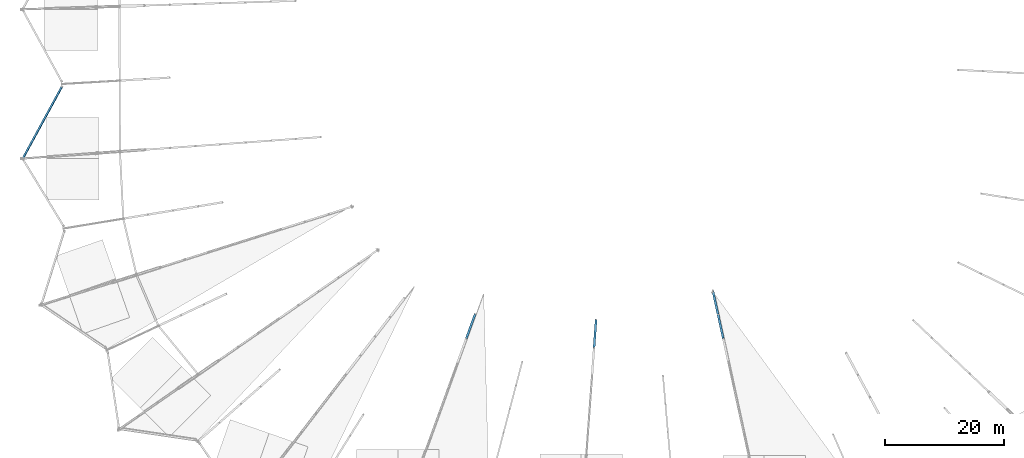
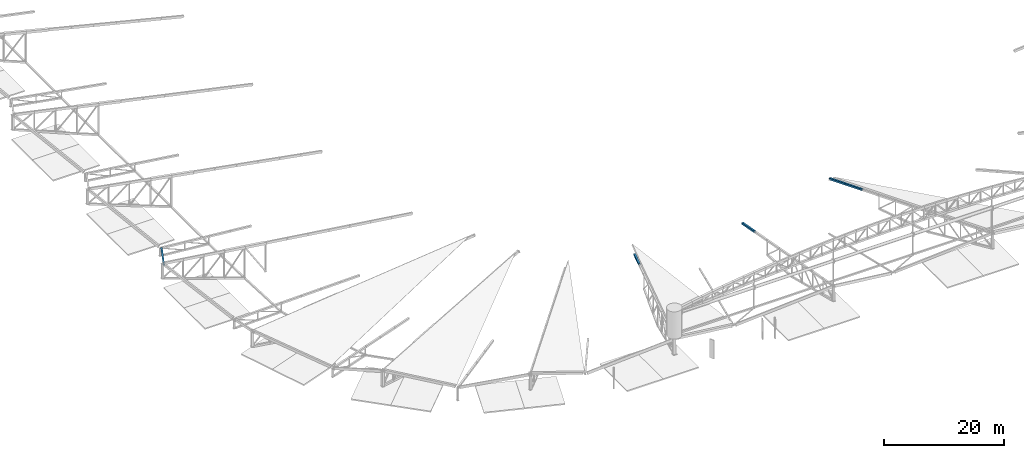
# One storey, part 32 of 188: 4 members, 1 beam.
"""IFC4 building model written with IfcOpenShell, lengths in metres."""

import ifcopenshell
import ifcopenshell.guid

model = None  # the IFC model being written
_history = None  # IfcOwnerHistory: only IFC2X3 demands one
_inside = {}  # id of a spatial element -> (the spatial element, [elements in it])
_under = {}  # id of a project, library or spatial element -> (it, [spatial elements below it])
_declared = {}  # id of a project -> (the project, [libraries it declares])
_typed = {}  # id of a type object -> (the type object, [elements of that type])
_made_of = {}  # id of a material, layer set ... -> (it, [elements and type objects made of it])


def new_model(schema):
    """Start an empty IFC model of exactly this schema.

    Asked for "IFC4X3", IfcOpenShell would pick the latest addendum, in which some entities
    have other attributes; the version numbers below select the first issue.
    IFC2X3 requires an IfcOwnerHistory on every rooted entity: one is made here for all.
    """
    global model, _history
    if schema == "IFC4X3":
        model = ifcopenshell.file(schema_version=(4, 3, 0, 0))
    else:
        model = ifcopenshell.file(schema=schema)
    _inside.clear()
    _under.clear()
    _declared.clear()
    _typed.clear()
    _made_of.clear()
    _history = None
    if model.schema == "IFC2X3":
        org = make("IfcOrganization", Name="unknown")
        user = make(
            "IfcPersonAndOrganization",
            ThePerson=make("IfcPerson", FamilyName="unknown"),
            TheOrganization=org,
        )
        app = make(
            "IfcApplication",
            ApplicationDeveloper=org,
            Version="unknown",
            ApplicationFullName="unknown",
            ApplicationIdentifier="unknown",
        )
        _history = make(
            "IfcOwnerHistory",
            OwningUser=user,
            OwningApplication=app,
            ChangeAction="ADDED",
            CreationDate=0,
        )
    return model


def make(cls, **values):
    """One entity of the class cls with the attributes given. An attribute that is None is left unset."""
    return model.create_entity(
        cls, **{name: value for name, value in values.items() if value is not None}
    )


def rooted(cls, **values):
    """An entity with a GlobalId (a new one), such as an element, a storey or a relation."""
    return make(cls, GlobalId=ifcopenshell.guid.new(), OwnerHistory=_history, **values)


def si_unit(unit_type, name, prefix=None):
    """IfcSIUnit, for example si_unit("LENGTHUNIT", "METRE", prefix="MILLI")."""
    return make("IfcSIUnit", UnitType=unit_type, Prefix=prefix, Name=name)


def assignment(units):
    """IfcUnitAssignment: the units of a project."""
    return None if units is None else make("IfcUnitAssignment", Units=units)


def point(xyz):
    """IfcCartesianPoint."""
    return None if xyz is None else make("IfcCartesianPoint", Coordinates=xyz)


def direction(xyz):
    """IfcDirection."""
    return None if xyz is None else make("IfcDirection", DirectionRatios=xyz)


def frame(location, z_axis=None, x_axis=None):
    """IfcAxis2Placement3D, a coordinate frame: its origin and axes. An axis left out is left unset."""
    return make(
        "IfcAxis2Placement3D",
        Location=point(location),
        Axis=direction(z_axis),
        RefDirection=direction(x_axis),
    )


def frame_2d(location, x_axis=None):
    """IfcAxis2Placement2D, a coordinate frame in the plane: its origin and x axis."""
    return make(
        "IfcAxis2Placement2D", Location=point(location), RefDirection=direction(x_axis)
    )


def origin():
    """The frame at (0, 0, 0) with its axes left unset."""
    return frame((0.0, 0.0, 0.0))


def origin_2d():
    """The frame at (0, 0) in the plane with its x axis left unset."""
    return frame_2d((0.0, 0.0))


def place(relative_to, where):
    """IfcLocalPlacement: puts the frame where relative to a parent placement (None: the world)."""
    return make(
        "IfcLocalPlacement", PlacementRelTo=relative_to, RelativePlacement=where
    )


def context(
    kind, dimensions, precision=None, world=None, true_north=None, identifier=None
):
    """IfcGeometricRepresentationContext, for example the 3D "Model" context."""
    return make(
        "IfcGeometricRepresentationContext",
        ContextIdentifier=identifier,
        ContextType=kind,
        CoordinateSpaceDimension=dimensions,
        Precision=precision,
        WorldCoordinateSystem=world,
        TrueNorth=true_north,
    )


def subcontext(parent, identifier, kind, view, scale=None):
    """IfcGeometricRepresentationSubContext, for example "Body" below "Model"."""
    return make(
        "IfcGeometricRepresentationSubContext",
        ContextIdentifier=identifier,
        ContextType=kind,
        ParentContext=parent,
        TargetScale=scale,
        TargetView=view,
    )


def project(units=None, contexts=None):
    """IfcProject with its units and contexts."""
    return rooted(
        "IfcProject",
        Name="project",
        RepresentationContexts=contexts,
        UnitsInContext=assignment(units),
    )


def spatial(cls, under=None, at=None, **own):
    """A site, building, storey or space (cls), placed at a placement, below another one or the project."""
    s = rooted(cls, ObjectPlacement=at, **own)
    if under is not None:
        _under.setdefault(under.id(), (under, []))[1].append(s)
    return s


def profile(cls, at=None, kind="AREA", **sizes):
    """A parametric profile (cls). Its sizes go by their IFC names, for example OverallWidth=200.0."""
    return make(cls, ProfileType=kind, Position=at, **sizes)


def hollow_rectangle(**sizes):
    """IfcRectangleHollowProfileDef."""
    return profile("IfcRectangleHollowProfileDef", **sizes)


def extrude(swept, where, along, depth):
    """IfcExtrudedAreaSolid: the profile swept, set in the frame where, extruded along a direction by depth."""
    return make(
        "IfcExtrudedAreaSolid",
        SweptArea=swept,
        Position=where,
        ExtrudedDirection=direction(along),
        Depth=depth,
    )


def shape(context_of_items, identifier, shape_type, items):
    """IfcShapeRepresentation: the items that make up one representation, for example the "Body"."""
    return make(
        "IfcShapeRepresentation",
        ContextOfItems=context_of_items,
        RepresentationIdentifier=identifier,
        RepresentationType=shape_type,
        Items=items,
    )


def material(Name=None, Category=None):
    """IfcMaterial."""
    return make("IfcMaterial", Name=Name, Category=Category)


def material_profile(
    of_material, cross_section, Name=None, Category=None, Priority=None
):
    """IfcMaterialProfile: a cross section and its material."""
    return make(
        "IfcMaterialProfile",
        Name=Name,
        Material=of_material,
        Profile=cross_section,
        Priority=Priority,
        Category=Category,
    )


def profile_set(profiles, Name=None, composite=None):
    """IfcMaterialProfileSet."""
    return make(
        "IfcMaterialProfileSet",
        Name=Name,
        MaterialProfiles=profiles,
        CompositeProfile=composite,
    )


def made_of(thing, what):
    """Note that an element or type object is made of a material, layer set ...; save() writes the relation."""
    if what is not None:
        _made_of.setdefault(what.id(), (what, []))[1].append(thing)
    return thing


def type_object(cls, material=None, **own):
    """A type object (cls), such as IfcWallType, which elements share."""
    return made_of(rooted(cls, **own), material)


def element(
    cls,
    number,
    at=None,
    inside=None,
    cuts=None,
    type_object=None,
    material=None,
    context=None,
    identifier="Body",
    shape_type=None,
    held_by="IfcProductDefinitionShape",
    body=None,
    shapes=None,
    **own,
):
    """One element of the class cls, such as IfcWall. Its Tag is "e" and its number.

    at: its placement. inside: the storey or other place that contains it. cuts: it is an
    opening in that element (IfcRelVoidsElement). A single representation is given by context,
    identifier, shape_type and body (its items); several are given by shapes. held_by: the class
    of the entity that holds the representations. save() writes the other relations.
    """
    e = rooted(cls, Tag="e%d" % number, ObjectPlacement=at, **own)
    if body is not None:
        shapes = [shape(context, identifier, shape_type, body)]
    if shapes is not None:
        e.Representation = make(held_by, Representations=shapes)
    if inside is not None:
        _inside.setdefault(inside.id(), (inside, []))[1].append(e)
    if cuts is not None:
        rooted(
            "IfcRelVoidsElement", RelatingBuildingElement=cuts, RelatedOpeningElement=e
        )
    if type_object is not None:
        _typed.setdefault(type_object.id(), (type_object, []))[1].append(e)
    return made_of(e, material)


def aggregate(whole, parts):
    """IfcRelAggregates: a whole, such as a stair, and the parts it consists of."""
    return rooted("IfcRelAggregates", RelatingObject=whole, RelatedObjects=parts)


def save(model, path):
    """Write the relations noted so far, then the file.

    IfcRelAggregates (storeys below a building ...), IfcRelContainedInSpatialStructure (elements
    in a storey), IfcRelDefinesByType, IfcRelAssociatesMaterial and IfcRelDeclares: one each for
    every whole, place, type object, material and project.
    """
    for whole, parts in _under.values():
        aggregate(whole, parts)
    for where, things in _inside.values():
        rooted(
            "IfcRelContainedInSpatialStructure",
            RelatedElements=things,
            RelatingStructure=where,
        )
    for kind, things in _typed.values():
        rooted("IfcRelDefinesByType", RelatedObjects=things, RelatingType=kind)
    for what, things in _made_of.values():
        rooted("IfcRelAssociatesMaterial", RelatedObjects=things, RelatingMaterial=what)
    for by, libraries in _declared.values():
        rooted("IfcRelDeclares", RelatingContext=by, RelatedDefinitions=libraries)
    model.write(path)


model = new_model("IFC4")

# Units and contexts
model_context = context("Model", 3, precision=1e-05, world=origin(), true_north=direction((0.0, 1.0)))
body_context = subcontext(model_context, "Body", "Model", "MODEL_VIEW")
ifc_project = project(units=[si_unit("LENGTHUNIT", "METRE"), si_unit("AREAUNIT", "SQUARE_METRE"), si_unit("VOLUMEUNIT", "CUBIC_METRE"), si_unit("PLANEANGLEUNIT", "RADIAN"), si_unit("MASSUNIT", "GRAM", prefix="KILO")], contexts=[model_context])

# Site, building, storey
site_placement = place(None, origin())
site = spatial("IfcSite", under=ifc_project, at=site_placement, CompositionType="ELEMENT")
building_placement = place(site_placement, origin())
building = spatial("IfcBuilding", under=site, at=building_placement, Name="Meseta Stadium", CompositionType="ELEMENT")
storey_placement = place(building_placement, frame((0.0, 0.0, 30.0)))
storey = spatial("IfcBuildingStorey", under=building, at=storey_placement, Name="ROOF", CompositionType="ELEMENT", Elevation=30.0)

# Beam
ifc_material_1 = material(Name="Steel S355", Category="steel")
ifc_material_profile_1 = material_profile(ifc_material_1, hollow_rectangle(XDim=0.300048828125, YDim=0.5, WallThickness=0.01611328125, at=origin_2d()), Name="RHS 500x300x16")
ifc_profile_set_1 = profile_set([ifc_material_profile_1], Name="Steel S355")
beam_type = type_object("IfcBeamType", Name="RHS 500x300x16 rim ring beam", PredefinedType="BEAM", material=ifc_profile_set_1)
beam_placement = place(storey_placement, frame((-94.595947265625, -31.696044921875, 3.8017578125), z_axis=(-0.43117438578, -0.792576367358, 0.43117438578), x_axis=(0.89712938742, -0.427529866996, 0.111252303584)))
element("IfcBeam", 1, at=beam_placement, inside=storey, type_object=beam_type, Name="RIM RING BEAM 36", PredefinedType="BEAM", context=body_context, shape_type="SweptSolid", body=[
    extrude(hollow_rectangle(XDim=0.300048828125, YDim=0.5, WallThickness=0.01611328125, at=origin_2d()), origin(), (0.0, 0.0, 1.0), 15.361083984375),
])

# Members
ifc_material_2 = material(Name="Steel S355", Category="steel")
ifc_material_profile_2 = material_profile(ifc_material_2, hollow_rectangle(XDim=0.35009765625, YDim=0.35009765625, WallThickness=0.010009765625, at=origin_2d()), Name="SHS 350x350x10")
ifc_profile_set_2 = profile_set([ifc_material_profile_2], Name="Steel S355")
member_type = type_object("IfcMemberType", Name="SHS 350x350x10 top chord", PredefinedType="CHORD", material=ifc_profile_set_2)
member_1_placement = place(storey_placement, frame((-25.390380859375, -69.7392578125, 1.493896484375), z_axis=(-0.332121563749, -0.915051800317, 0.228856875861), x_axis=(0.939999305221, -0.341176356426, 0.0)))
element("IfcMember", 2, at=member_1_placement, inside=storey, type_object=member_type, Name="ROOF TRUSS RT-44 top chord", PredefinedType="CHORD", context=body_context, shape_type="SweptSolid", body=[
    extrude(hollow_rectangle(XDim=0.35009765625, YDim=0.35009765625, WallThickness=0.010009765625, at=origin_2d()), origin(), (0.0, 0.0, 1.0), 4.548828125),
])
member_2_placement = place(storey_placement, frame((-5.14990234375, -70.6943359375, 1.3544921875), z_axis=(-0.069964968827, -0.964716970167, 0.253822911908), x_axis=(0.997380476022, -0.072333851348, 0.0)))
element("IfcMember", 3, at=member_2_placement, inside=storey, type_object=member_type, Name="ROOF TRUSS RT-46 top chord", PredefinedType="CHORD", context=body_context, shape_type="SweptSolid", body=[
    extrude(hollow_rectangle(XDim=0.35009765625, YDim=0.35009765625, WallThickness=0.010009765625, at=origin_2d()), origin(), (0.0, 0.0, 1.0), 4.88525390625),
])
member_3_placement = place(storey_placement, frame((14.404296875, -65.9033203125, 0.70947265625), z_axis=(0.20668236529, -0.949763076222, 0.235015954616), x_axis=(0.977131038341, 0.212638034957, 0.0)))
element("IfcMember", 4, at=member_3_placement, inside=storey, type_object=member_type, Name="ROOF TRUSS RT-48 top chord", PredefinedType="CHORD", context=body_context, shape_type="SweptSolid", body=[
    extrude(hollow_rectangle(XDim=0.35009765625, YDim=0.35009765625, WallThickness=0.010009765625, at=origin_2d()), origin(), (0.0, 0.0, 1.0), 4.1533203125),
])
member_4_placement = place(storey_placement, frame((15.2626953125, -69.847900390625, 1.685546875), z_axis=(0.206716633204, -0.949763502107, 0.234984092274), x_axis=(0.977123732443, 0.212671604821, 0.0)))
element("IfcMember", 5, at=member_4_placement, inside=storey, type_object=member_type, Name="ROOF TRUSS RT-48 top chord", PredefinedType="CHORD", context=body_context, shape_type="SweptSolid", body=[
    extrude(hollow_rectangle(XDim=0.35009765625, YDim=0.35009765625, WallThickness=0.010009765625, at=origin_2d()), origin(), (0.0, 0.0, 1.0), 4.223388671875),
])

save(model, "model.ifc")
